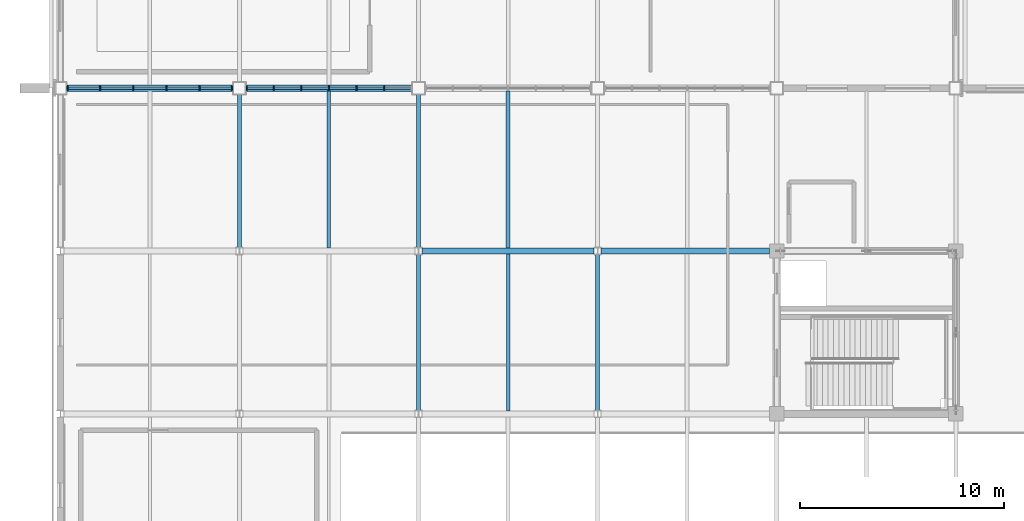
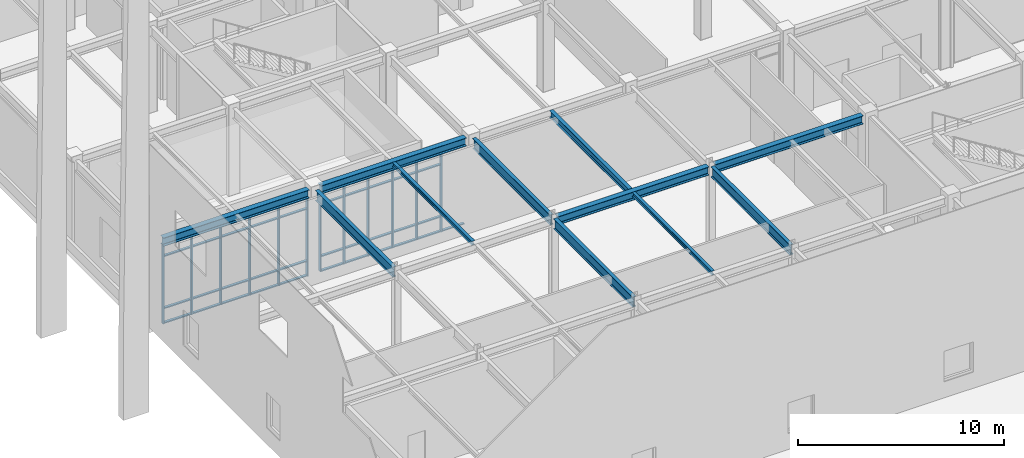
# One storey, part 21 of 119: 53 members, 11 beams, 2 elements without a shape of their own.
"""IFC4 building model written with IfcOpenShell, lengths in metres."""

from ifc_helpers import new_model, si_unit, direction, frame, origin, origin_2d, place, context, subcontext, project, spatial, rectangle, i_section, extrude, material, material_profile, profile_set, type_object, element, aggregate, save


model = new_model("IFC4")

# Units and contexts
model_context = context("Model", 3, precision=1e-05, world=origin(), true_north=direction((0.0, 1.0)))
body_context = subcontext(model_context, "Body", "Model", "MODEL_VIEW")
ifc_project = project(units=[si_unit("LENGTHUNIT", "METRE"), si_unit("AREAUNIT", "SQUARE_METRE"), si_unit("VOLUMEUNIT", "CUBIC_METRE"), si_unit("PLANEANGLEUNIT", "RADIAN"), si_unit("MASSUNIT", "GRAM", prefix="KILO")], contexts=[model_context])

# Site, building, storey
site_placement = place(None, origin())
site = spatial("IfcSite", under=ifc_project, at=site_placement, CompositionType="ELEMENT")
building_placement = place(site_placement, origin())
building = spatial("IfcBuilding", under=site, at=building_placement, Name="Zhaolan Boulevard Law Courts", CompositionType="ELEMENT")
storey_placement = place(building_placement, origin())
storey = spatial("IfcBuildingStorey", under=building, at=storey_placement, Name="L00", CompositionType="ELEMENT", Elevation=0.0)

# Curtain wall, members
ifc_material_1 = material(Name="Thermally broken aluminium and low-E glazing", Category="aluminium")
curtain_wall_type_1 = type_object("IfcCurtainWallType", Name="CURTAIN WALL M1", PredefinedType="USERDEFINED", material=ifc_material_1)
curtain_wall_1_placement = place(storey_placement, origin())
curtain_wall_1 = element("IfcCurtainWall", 1, at=curtain_wall_1_placement, inside=storey, type_object=curtain_wall_type_1, Name="Curtain Wall CW-L00-001", ObjectType="CURTAIN WALL", PredefinedType="USERDEFINED")
ifc_material_2 = material(Name="Fluorocarbon-coated aluminium 6063-T6", Category="aluminium")
ifc_material_profile_1 = material_profile(ifc_material_2, rectangle(XDim=0.179931640625, YDim=0.06494140625, at=origin_2d()), Name="AL65x180")
ifc_profile_set_1 = profile_set([ifc_material_profile_1], Name="Fluorocarbon-coated aluminium 6063-T6")
member_type_1 = type_object("IfcMemberType", Name="CWMULLION 65X180", PredefinedType="MULLION", material=ifc_profile_set_1)
member_1_placement = place(storey_placement, frame((8.4404296875, 30.0, 0.0), z_axis=(0.0, 0.0, 1.0), x_axis=(0.0, -1.0, 0.0)))
member_1 = element("IfcMember", 2, at=member_1_placement, type_object=member_type_1, Name="CW-L00-001 mullion 1", PredefinedType="MULLION", context=body_context, shape_type="SweptSolid", body=[
    extrude(rectangle(XDim=0.179931640625, YDim=0.06494140625, at=origin_2d()), origin(), (0.0, 0.0, 1.0), 4.635009765625),
])
member_2_placement = place(storey_placement, frame((6.84375, 30.0, 0.0), z_axis=(0.0, 0.0, 1.0), x_axis=(0.0, -1.0, 0.0)))
member_2 = element("IfcMember", 3, at=member_2_placement, type_object=member_type_1, Name="CW-L00-001 mullion 2", PredefinedType="MULLION", context=body_context, shape_type="SweptSolid", body=[
    extrude(rectangle(XDim=0.179931640625, YDim=0.06494140625, at=origin_2d()), origin(), (0.0, 0.0, 1.0), 4.635009765625),
])
member_3_placement = place(storey_placement, frame((5.214599609375, 30.0, 0.0), z_axis=(0.0, 0.0, 1.0), x_axis=(0.0, -1.0, 0.0)))
member_3 = element("IfcMember", 4, at=member_3_placement, type_object=member_type_1, Name="CW-L00-001 mullion 3", PredefinedType="MULLION", context=body_context, shape_type="SweptSolid", body=[
    extrude(rectangle(XDim=0.179931640625, YDim=0.06494140625, at=origin_2d()), origin(), (0.0, 0.0, 1.0), 4.635009765625),
])
member_4_placement = place(storey_placement, frame((3.58544921875, 30.0, 0.0), z_axis=(0.0, 0.0, 1.0), x_axis=(0.0, -1.0, 0.0)))
member_4 = element("IfcMember", 5, at=member_4_placement, type_object=member_type_1, Name="CW-L00-001 mullion 4", PredefinedType="MULLION", context=body_context, shape_type="SweptSolid", body=[
    extrude(rectangle(XDim=0.179931640625, YDim=0.06494140625, at=origin_2d()), origin(), (0.0, 0.0, 1.0), 4.635009765625),
])
member_5_placement = place(storey_placement, frame((1.956298828125, 30.0, 0.0), z_axis=(0.0, 0.0, 1.0), x_axis=(0.0, -1.0, 0.0)))
member_5 = element("IfcMember", 6, at=member_5_placement, type_object=member_type_1, Name="CW-L00-001 mullion 5", PredefinedType="MULLION", context=body_context, shape_type="SweptSolid", body=[
    extrude(rectangle(XDim=0.179931640625, YDim=0.06494140625, at=origin_2d()), origin(), (0.0, 0.0, 1.0), 4.635009765625),
])
member_6_placement = place(storey_placement, frame((0.359619140625, 30.0, 0.0), z_axis=(0.0, 0.0, 1.0), x_axis=(0.0, -1.0, 0.0)))
member_6 = element("IfcMember", 7, at=member_6_placement, type_object=member_type_1, Name="CW-L00-001 mullion 6", PredefinedType="MULLION", context=body_context, shape_type="SweptSolid", body=[
    extrude(rectangle(XDim=0.179931640625, YDim=0.06494140625, at=origin_2d()), origin(), (0.0, 0.0, 1.0), 4.635009765625),
])

ifc_material_3 = material(Name="Thermally broken aluminium and low-E glazing", Category="aluminium")
curtain_wall_type_2 = type_object("IfcCurtainWallType", Name="CURTAIN WALL M2", PredefinedType="USERDEFINED", material=ifc_material_3)
curtain_wall_2_placement = place(storey_placement, origin())
curtain_wall_2 = element("IfcCurtainWall", 8, at=curtain_wall_2_placement, inside=storey, type_object=curtain_wall_type_2, Name="Curtain Wall CW-L00-002", ObjectType="CURTAIN WALL", PredefinedType="USERDEFINED")
member_7_placement = place(storey_placement, frame((15.915283203125, 30.0, 0.0), z_axis=(0.0, 0.0, 1.0), x_axis=(0.0, -1.0, 0.0)))
member_7 = element("IfcMember", 9, at=member_7_placement, type_object=member_type_1, Name="CW-L00-002 mullion 2", PredefinedType="MULLION", context=body_context, shape_type="SweptSolid", body=[
    extrude(rectangle(XDim=0.179931640625, YDim=0.06494140625, at=origin_2d()), origin(), (0.0, 0.0, 1.0), 4.635009765625),
])
member_8_placement = place(storey_placement, frame((14.5576171875, 30.0, 0.0), z_axis=(0.0, 0.0, 1.0), x_axis=(0.0, -1.0, 0.0)))
member_8 = element("IfcMember", 10, at=member_8_placement, type_object=member_type_1, Name="CW-L00-002 mullion 3", PredefinedType="MULLION", context=body_context, shape_type="SweptSolid", body=[
    extrude(rectangle(XDim=0.179931640625, YDim=0.06494140625, at=origin_2d()), origin(), (0.0, 0.0, 1.0), 4.635009765625),
])
member_9_placement = place(storey_placement, frame((13.199951171875, 30.0, 0.0), z_axis=(0.0, 0.0, 1.0), x_axis=(0.0, -1.0, 0.0)))
member_9 = element("IfcMember", 11, at=member_9_placement, type_object=member_type_1, Name="CW-L00-002 mullion 4", PredefinedType="MULLION", context=body_context, shape_type="SweptSolid", body=[
    extrude(rectangle(XDim=0.179931640625, YDim=0.06494140625, at=origin_2d()), origin(), (0.0, 0.0, 1.0), 4.635009765625),
])
member_10_placement = place(storey_placement, frame((11.84228515625, 30.0, 0.0), z_axis=(0.0, 0.0, 1.0), x_axis=(0.0, -1.0, 0.0)))
member_10 = element("IfcMember", 12, at=member_10_placement, type_object=member_type_1, Name="CW-L00-002 mullion 5", PredefinedType="MULLION", context=body_context, shape_type="SweptSolid", body=[
    extrude(rectangle(XDim=0.179931640625, YDim=0.06494140625, at=origin_2d()), origin(), (0.0, 0.0, 1.0), 4.635009765625),
])
member_11_placement = place(storey_placement, frame((10.484619140625, 30.0, 0.0), z_axis=(0.0, 0.0, 1.0), x_axis=(0.0, -1.0, 0.0)))
member_11 = element("IfcMember", 13, at=member_11_placement, type_object=member_type_1, Name="CW-L00-002 mullion 6", PredefinedType="MULLION", context=body_context, shape_type="SweptSolid", body=[
    extrude(rectangle(XDim=0.179931640625, YDim=0.06494140625, at=origin_2d()), origin(), (0.0, 0.0, 1.0), 4.635009765625),
])
member_12_placement = place(storey_placement, frame((9.159423828125, 30.0, 0.0), z_axis=(0.0, 0.0, 1.0), x_axis=(0.0, -1.0, 0.0)))
member_12 = element("IfcMember", 14, at=member_12_placement, type_object=member_type_1, Name="CW-L00-002 mullion 7", PredefinedType="MULLION", context=body_context, shape_type="SweptSolid", body=[
    extrude(rectangle(XDim=0.179931640625, YDim=0.06494140625, at=origin_2d()), origin(), (0.0, 0.0, 1.0), 4.635009765625),
])

# Member
ifc_material_4 = material(Name="Fluorocarbon-coated aluminium 6063-T6", Category="aluminium")
ifc_material_profile_2 = material_profile(ifc_material_4, rectangle(XDim=0.139892578125, YDim=0.06494140625, at=origin_2d()), Name="AL65x140")
ifc_profile_set_2 = profile_set([ifc_material_profile_2], Name="Fluorocarbon-coated aluminium 6063-T6")
member_type_2 = type_object("IfcMemberType", Name="CWTRANSOM 65X140", PredefinedType="USERDEFINED", material=ifc_profile_set_2)
member_13_placement = place(storey_placement, frame((8.407958984375, 30.0, 0.032470703125), z_axis=(-1.0, 0.0, 0.0), x_axis=(0.0, -1.0, 0.0)))
member_13 = element("IfcMember", 15, at=member_13_placement, type_object=member_type_2, Name="CW-L00-001 transom 1.1", ObjectType="TRANSOM", PredefinedType="USERDEFINED", context=body_context, shape_type="SweptSolid", body=[
    extrude(rectangle(XDim=0.139892578125, YDim=0.06494140625, at=origin_2d()), origin(), (0.0, 0.0, 1.0), 1.53173828125),
])

member_14_placement = place(storey_placement, frame((8.407958984375, 30.0, 0.89990234375), z_axis=(-1.0, 0.0, 0.0), x_axis=(0.0, -1.0, 0.0)))
member_14 = element("IfcMember", 16, at=member_14_placement, type_object=member_type_2, Name="CW-L00-001 transom 1.2", ObjectType="TRANSOM", PredefinedType="USERDEFINED", context=body_context, shape_type="SweptSolid", body=[
    extrude(rectangle(XDim=0.139892578125, YDim=0.06494140625, at=origin_2d()), origin(), (0.0, 0.0, 1.0), 1.53173828125),
])

member_15_placement = place(storey_placement, frame((8.407958984375, 30.0, 3.985107421875), z_axis=(-1.0, 0.0, 0.0), x_axis=(0.0, -1.0, 0.0)))
member_15 = element("IfcMember", 17, at=member_15_placement, type_object=member_type_2, Name="CW-L00-001 transom 1.3", ObjectType="TRANSOM", PredefinedType="USERDEFINED", context=body_context, shape_type="SweptSolid", body=[
    extrude(rectangle(XDim=0.139892578125, YDim=0.06494140625, at=origin_2d()), origin(), (0.0, 0.0, 1.0), 1.53173828125),
])

member_16_placement = place(storey_placement, frame((8.407958984375, 30.0, 4.6025390625), z_axis=(-1.0, 0.0, 0.0), x_axis=(0.0, -1.0, 0.0)))
member_16 = element("IfcMember", 18, at=member_16_placement, type_object=member_type_2, Name="CW-L00-001 transom 1.4", ObjectType="TRANSOM", PredefinedType="USERDEFINED", context=body_context, shape_type="SweptSolid", body=[
    extrude(rectangle(XDim=0.139892578125, YDim=0.06494140625, at=origin_2d()), origin(), (0.0, 0.0, 1.0), 1.53173828125),
])

member_17_placement = place(storey_placement, frame((6.811279296875, 30.0, 0.032470703125), z_axis=(-1.0, 0.0, 0.0), x_axis=(0.0, -1.0, 0.0)))
member_17 = element("IfcMember", 19, at=member_17_placement, type_object=member_type_2, Name="CW-L00-001 transom 2.1", ObjectType="TRANSOM", PredefinedType="USERDEFINED", context=body_context, shape_type="SweptSolid", body=[
    extrude(rectangle(XDim=0.139892578125, YDim=0.06494140625, at=origin_2d()), origin(), (0.0, 0.0, 1.0), 1.564208984375),
])

member_18_placement = place(storey_placement, frame((6.811279296875, 30.0, 0.89990234375), z_axis=(-1.0, 0.0, 0.0), x_axis=(0.0, -1.0, 0.0)))
member_18 = element("IfcMember", 20, at=member_18_placement, type_object=member_type_2, Name="CW-L00-001 transom 2.2", ObjectType="TRANSOM", PredefinedType="USERDEFINED", context=body_context, shape_type="SweptSolid", body=[
    extrude(rectangle(XDim=0.139892578125, YDim=0.06494140625, at=origin_2d()), origin(), (0.0, 0.0, 1.0), 1.564208984375),
])

member_19_placement = place(storey_placement, frame((6.811279296875, 30.0, 3.985107421875), z_axis=(-1.0, 0.0, 0.0), x_axis=(0.0, -1.0, 0.0)))
member_19 = element("IfcMember", 21, at=member_19_placement, type_object=member_type_2, Name="CW-L00-001 transom 2.3", ObjectType="TRANSOM", PredefinedType="USERDEFINED", context=body_context, shape_type="SweptSolid", body=[
    extrude(rectangle(XDim=0.139892578125, YDim=0.06494140625, at=origin_2d()), origin(), (0.0, 0.0, 1.0), 1.564208984375),
])

member_20_placement = place(storey_placement, frame((6.811279296875, 30.0, 4.6025390625), z_axis=(-1.0, 0.0, 0.0), x_axis=(0.0, -1.0, 0.0)))
member_20 = element("IfcMember", 22, at=member_20_placement, type_object=member_type_2, Name="CW-L00-001 transom 2.4", ObjectType="TRANSOM", PredefinedType="USERDEFINED", context=body_context, shape_type="SweptSolid", body=[
    extrude(rectangle(XDim=0.139892578125, YDim=0.06494140625, at=origin_2d()), origin(), (0.0, 0.0, 1.0), 1.564208984375),
])

member_21_placement = place(storey_placement, frame((5.18212890625, 30.0, 0.032470703125), z_axis=(-1.0, 0.0, 0.0), x_axis=(0.0, -1.0, 0.0)))
member_21 = element("IfcMember", 23, at=member_21_placement, type_object=member_type_2, Name="CW-L00-001 transom 3.1", ObjectType="TRANSOM", PredefinedType="USERDEFINED", context=body_context, shape_type="SweptSolid", body=[
    extrude(rectangle(XDim=0.139892578125, YDim=0.06494140625, at=origin_2d()), origin(), (0.0, 0.0, 1.0), 1.564208984375),
])

member_22_placement = place(storey_placement, frame((5.18212890625, 30.0, 0.89990234375), z_axis=(-1.0, 0.0, 0.0), x_axis=(0.0, -1.0, 0.0)))
member_22 = element("IfcMember", 24, at=member_22_placement, type_object=member_type_2, Name="CW-L00-001 transom 3.2", ObjectType="TRANSOM", PredefinedType="USERDEFINED", context=body_context, shape_type="SweptSolid", body=[
    extrude(rectangle(XDim=0.139892578125, YDim=0.06494140625, at=origin_2d()), origin(), (0.0, 0.0, 1.0), 1.564208984375),
])

member_23_placement = place(storey_placement, frame((5.18212890625, 30.0, 3.985107421875), z_axis=(-1.0, 0.0, 0.0), x_axis=(0.0, -1.0, 0.0)))
member_23 = element("IfcMember", 25, at=member_23_placement, type_object=member_type_2, Name="CW-L00-001 transom 3.3", ObjectType="TRANSOM", PredefinedType="USERDEFINED", context=body_context, shape_type="SweptSolid", body=[
    extrude(rectangle(XDim=0.139892578125, YDim=0.06494140625, at=origin_2d()), origin(), (0.0, 0.0, 1.0), 1.564208984375),
])

member_24_placement = place(storey_placement, frame((5.18212890625, 30.0, 4.6025390625), z_axis=(-1.0, 0.0, 0.0), x_axis=(0.0, -1.0, 0.0)))
member_24 = element("IfcMember", 26, at=member_24_placement, type_object=member_type_2, Name="CW-L00-001 transom 3.4", ObjectType="TRANSOM", PredefinedType="USERDEFINED", context=body_context, shape_type="SweptSolid", body=[
    extrude(rectangle(XDim=0.139892578125, YDim=0.06494140625, at=origin_2d()), origin(), (0.0, 0.0, 1.0), 1.564208984375),
])

member_25_placement = place(storey_placement, frame((3.552978515625, 30.0, 0.032470703125), z_axis=(-1.0, 0.0, 0.0), x_axis=(0.0, -1.0, 0.0)))
member_25 = element("IfcMember", 27, at=member_25_placement, type_object=member_type_2, Name="CW-L00-001 transom 4.1", ObjectType="TRANSOM", PredefinedType="USERDEFINED", context=body_context, shape_type="SweptSolid", body=[
    extrude(rectangle(XDim=0.139892578125, YDim=0.06494140625, at=origin_2d()), origin(), (0.0, 0.0, 1.0), 1.564208984375),
])

member_26_placement = place(storey_placement, frame((3.552978515625, 30.0, 0.89990234375), z_axis=(-1.0, 0.0, 0.0), x_axis=(0.0, -1.0, 0.0)))
member_26 = element("IfcMember", 28, at=member_26_placement, type_object=member_type_2, Name="CW-L00-001 transom 4.2", ObjectType="TRANSOM", PredefinedType="USERDEFINED", context=body_context, shape_type="SweptSolid", body=[
    extrude(rectangle(XDim=0.139892578125, YDim=0.06494140625, at=origin_2d()), origin(), (0.0, 0.0, 1.0), 1.564208984375),
])

member_27_placement = place(storey_placement, frame((3.552978515625, 30.0, 3.985107421875), z_axis=(-1.0, 0.0, 0.0), x_axis=(0.0, -1.0, 0.0)))
member_27 = element("IfcMember", 29, at=member_27_placement, type_object=member_type_2, Name="CW-L00-001 transom 4.3", ObjectType="TRANSOM", PredefinedType="USERDEFINED", context=body_context, shape_type="SweptSolid", body=[
    extrude(rectangle(XDim=0.139892578125, YDim=0.06494140625, at=origin_2d()), origin(), (0.0, 0.0, 1.0), 1.564208984375),
])

member_28_placement = place(storey_placement, frame((3.552978515625, 30.0, 4.6025390625), z_axis=(-1.0, 0.0, 0.0), x_axis=(0.0, -1.0, 0.0)))
member_28 = element("IfcMember", 30, at=member_28_placement, type_object=member_type_2, Name="CW-L00-001 transom 4.4", ObjectType="TRANSOM", PredefinedType="USERDEFINED", context=body_context, shape_type="SweptSolid", body=[
    extrude(rectangle(XDim=0.139892578125, YDim=0.06494140625, at=origin_2d()), origin(), (0.0, 0.0, 1.0), 1.564208984375),
])

member_29_placement = place(storey_placement, frame((1.923583984375, 30.0, 0.032470703125), z_axis=(-1.0, 0.0, 0.0), x_axis=(0.0, -1.0, 0.0)))
member_29 = element("IfcMember", 31, at=member_29_placement, type_object=member_type_2, Name="CW-L00-001 transom 5.1", ObjectType="TRANSOM", PredefinedType="USERDEFINED", context=body_context, shape_type="SweptSolid", body=[
    extrude(rectangle(XDim=0.139892578125, YDim=0.06494140625, at=origin_2d()), origin(), (0.0, 0.0, 1.0), 1.531494140625),
])

member_30_placement = place(storey_placement, frame((1.923583984375, 30.0, 0.89990234375), z_axis=(-1.0, 0.0, 0.0), x_axis=(0.0, -1.0, 0.0)))
member_30 = element("IfcMember", 32, at=member_30_placement, type_object=member_type_2, Name="CW-L00-001 transom 5.2", ObjectType="TRANSOM", PredefinedType="USERDEFINED", context=body_context, shape_type="SweptSolid", body=[
    extrude(rectangle(XDim=0.139892578125, YDim=0.06494140625, at=origin_2d()), origin(), (0.0, 0.0, 1.0), 1.531494140625),
])

member_31_placement = place(storey_placement, frame((1.923583984375, 30.0, 3.985107421875), z_axis=(-1.0, 0.0, 0.0), x_axis=(0.0, -1.0, 0.0)))
member_31 = element("IfcMember", 33, at=member_31_placement, type_object=member_type_2, Name="CW-L00-001 transom 5.3", ObjectType="TRANSOM", PredefinedType="USERDEFINED", context=body_context, shape_type="SweptSolid", body=[
    extrude(rectangle(XDim=0.139892578125, YDim=0.06494140625, at=origin_2d()), origin(), (0.0, 0.0, 1.0), 1.531494140625),
])

member_32_placement = place(storey_placement, frame((1.923583984375, 30.0, 4.6025390625), z_axis=(-1.0, 0.0, 0.0), x_axis=(0.0, -1.0, 0.0)))
member_32 = element("IfcMember", 34, at=member_32_placement, type_object=member_type_2, Name="CW-L00-001 transom 5.4", ObjectType="TRANSOM", PredefinedType="USERDEFINED", context=body_context, shape_type="SweptSolid", body=[
    extrude(rectangle(XDim=0.139892578125, YDim=0.06494140625, at=origin_2d()), origin(), (0.0, 0.0, 1.0), 1.531494140625),
])

aggregate(curtain_wall_1, [member_1, member_2, member_3, member_4, member_5, member_6, member_13, member_14, member_15, member_16, member_17, member_18, member_19, member_20, member_21, member_22, member_23, member_24, member_25, member_26, member_27, member_28, member_29, member_30, member_31, member_32])

member_33_placement = place(storey_placement, frame((17.2080078125, 30.0, 0.032470703125), z_axis=(-1.0, 0.0, 0.0), x_axis=(0.0, -1.0, 0.0)))
member_33 = element("IfcMember", 35, at=member_33_placement, type_object=member_type_2, Name="CW-L00-002 transom 1.1", ObjectType="TRANSOM", PredefinedType="USERDEFINED", context=body_context, shape_type="SweptSolid", body=[
    extrude(rectangle(XDim=0.139892578125, YDim=0.06494140625, at=origin_2d()), origin(), (0.0, 0.0, 1.0), 1.26025390625),
])

member_34_placement = place(storey_placement, frame((15.8828125, 30.0, 0.032470703125), z_axis=(-1.0, 0.0, 0.0), x_axis=(0.0, -1.0, 0.0)))
member_34 = element("IfcMember", 36, at=member_34_placement, type_object=member_type_2, Name="CW-L00-002 transom 2.1", ObjectType="TRANSOM", PredefinedType="USERDEFINED", context=body_context, shape_type="SweptSolid", body=[
    extrude(rectangle(XDim=0.139892578125, YDim=0.06494140625, at=origin_2d()), origin(), (0.0, 0.0, 1.0), 1.292724609375),
])

member_35_placement = place(storey_placement, frame((15.8828125, 30.0, 0.89990234375), z_axis=(-1.0, 0.0, 0.0), x_axis=(0.0, -1.0, 0.0)))
member_35 = element("IfcMember", 37, at=member_35_placement, type_object=member_type_2, Name="CW-L00-002 transom 2.2", ObjectType="TRANSOM", PredefinedType="USERDEFINED", context=body_context, shape_type="SweptSolid", body=[
    extrude(rectangle(XDim=0.139892578125, YDim=0.06494140625, at=origin_2d()), origin(), (0.0, 0.0, 1.0), 1.292724609375),
])

member_36_placement = place(storey_placement, frame((15.8828125, 30.0, 3.985107421875), z_axis=(-1.0, 0.0, 0.0), x_axis=(0.0, -1.0, 0.0)))
member_36 = element("IfcMember", 38, at=member_36_placement, type_object=member_type_2, Name="CW-L00-002 transom 2.3", ObjectType="TRANSOM", PredefinedType="USERDEFINED", context=body_context, shape_type="SweptSolid", body=[
    extrude(rectangle(XDim=0.139892578125, YDim=0.06494140625, at=origin_2d()), origin(), (0.0, 0.0, 1.0), 1.292724609375),
])

member_37_placement = place(storey_placement, frame((15.8828125, 30.0, 4.6025390625), z_axis=(-1.0, 0.0, 0.0), x_axis=(0.0, -1.0, 0.0)))
member_37 = element("IfcMember", 39, at=member_37_placement, type_object=member_type_2, Name="CW-L00-002 transom 2.4", ObjectType="TRANSOM", PredefinedType="USERDEFINED", context=body_context, shape_type="SweptSolid", body=[
    extrude(rectangle(XDim=0.139892578125, YDim=0.06494140625, at=origin_2d()), origin(), (0.0, 0.0, 1.0), 1.292724609375),
])

member_38_placement = place(storey_placement, frame((14.525146484375, 30.0, 0.032470703125), z_axis=(-1.0, 0.0, 0.0), x_axis=(0.0, -1.0, 0.0)))
member_38 = element("IfcMember", 40, at=member_38_placement, type_object=member_type_2, Name="CW-L00-002 transom 3.1", ObjectType="TRANSOM", PredefinedType="USERDEFINED", context=body_context, shape_type="SweptSolid", body=[
    extrude(rectangle(XDim=0.139892578125, YDim=0.06494140625, at=origin_2d()), origin(), (0.0, 0.0, 1.0), 1.292724609375),
])

member_39_placement = place(storey_placement, frame((14.525146484375, 30.0, 0.89990234375), z_axis=(-1.0, 0.0, 0.0), x_axis=(0.0, -1.0, 0.0)))
member_39 = element("IfcMember", 41, at=member_39_placement, type_object=member_type_2, Name="CW-L00-002 transom 3.2", ObjectType="TRANSOM", PredefinedType="USERDEFINED", context=body_context, shape_type="SweptSolid", body=[
    extrude(rectangle(XDim=0.139892578125, YDim=0.06494140625, at=origin_2d()), origin(), (0.0, 0.0, 1.0), 1.292724609375),
])

member_40_placement = place(storey_placement, frame((14.525146484375, 30.0, 3.985107421875), z_axis=(-1.0, 0.0, 0.0), x_axis=(0.0, -1.0, 0.0)))
member_40 = element("IfcMember", 42, at=member_40_placement, type_object=member_type_2, Name="CW-L00-002 transom 3.3", ObjectType="TRANSOM", PredefinedType="USERDEFINED", context=body_context, shape_type="SweptSolid", body=[
    extrude(rectangle(XDim=0.139892578125, YDim=0.06494140625, at=origin_2d()), origin(), (0.0, 0.0, 1.0), 1.292724609375),
])

member_41_placement = place(storey_placement, frame((14.525146484375, 30.0, 4.6025390625), z_axis=(-1.0, 0.0, 0.0), x_axis=(0.0, -1.0, 0.0)))
member_41 = element("IfcMember", 43, at=member_41_placement, type_object=member_type_2, Name="CW-L00-002 transom 3.4", ObjectType="TRANSOM", PredefinedType="USERDEFINED", context=body_context, shape_type="SweptSolid", body=[
    extrude(rectangle(XDim=0.139892578125, YDim=0.06494140625, at=origin_2d()), origin(), (0.0, 0.0, 1.0), 1.292724609375),
])

member_42_placement = place(storey_placement, frame((13.16748046875, 30.0, 0.032470703125), z_axis=(-1.0, 0.0, 0.0), x_axis=(0.0, -1.0, 0.0)))
member_42 = element("IfcMember", 44, at=member_42_placement, type_object=member_type_2, Name="CW-L00-002 transom 4.1", ObjectType="TRANSOM", PredefinedType="USERDEFINED", context=body_context, shape_type="SweptSolid", body=[
    extrude(rectangle(XDim=0.139892578125, YDim=0.06494140625, at=origin_2d()), origin(), (0.0, 0.0, 1.0), 1.292724609375),
])

member_43_placement = place(storey_placement, frame((13.16748046875, 30.0, 0.89990234375), z_axis=(-1.0, 0.0, 0.0), x_axis=(0.0, -1.0, 0.0)))
member_43 = element("IfcMember", 45, at=member_43_placement, type_object=member_type_2, Name="CW-L00-002 transom 4.2", ObjectType="TRANSOM", PredefinedType="USERDEFINED", context=body_context, shape_type="SweptSolid", body=[
    extrude(rectangle(XDim=0.139892578125, YDim=0.06494140625, at=origin_2d()), origin(), (0.0, 0.0, 1.0), 1.292724609375),
])

member_44_placement = place(storey_placement, frame((13.16748046875, 30.0, 3.985107421875), z_axis=(-1.0, 0.0, 0.0), x_axis=(0.0, -1.0, 0.0)))
member_44 = element("IfcMember", 46, at=member_44_placement, type_object=member_type_2, Name="CW-L00-002 transom 4.3", ObjectType="TRANSOM", PredefinedType="USERDEFINED", context=body_context, shape_type="SweptSolid", body=[
    extrude(rectangle(XDim=0.139892578125, YDim=0.06494140625, at=origin_2d()), origin(), (0.0, 0.0, 1.0), 1.292724609375),
])

member_45_placement = place(storey_placement, frame((13.16748046875, 30.0, 4.6025390625), z_axis=(-1.0, 0.0, 0.0), x_axis=(0.0, -1.0, 0.0)))
member_45 = element("IfcMember", 47, at=member_45_placement, type_object=member_type_2, Name="CW-L00-002 transom 4.4", ObjectType="TRANSOM", PredefinedType="USERDEFINED", context=body_context, shape_type="SweptSolid", body=[
    extrude(rectangle(XDim=0.139892578125, YDim=0.06494140625, at=origin_2d()), origin(), (0.0, 0.0, 1.0), 1.292724609375),
])

member_46_placement = place(storey_placement, frame((11.809814453125, 30.0, 0.032470703125), z_axis=(-1.0, 0.0, 0.0), x_axis=(0.0, -1.0, 0.0)))
member_46 = element("IfcMember", 48, at=member_46_placement, type_object=member_type_2, Name="CW-L00-002 transom 5.1", ObjectType="TRANSOM", PredefinedType="USERDEFINED", context=body_context, shape_type="SweptSolid", body=[
    extrude(rectangle(XDim=0.139892578125, YDim=0.06494140625, at=origin_2d()), origin(), (0.0, 0.0, 1.0), 1.292724609375),
])

member_47_placement = place(storey_placement, frame((11.809814453125, 30.0, 0.89990234375), z_axis=(-1.0, 0.0, 0.0), x_axis=(0.0, -1.0, 0.0)))
member_47 = element("IfcMember", 49, at=member_47_placement, type_object=member_type_2, Name="CW-L00-002 transom 5.2", ObjectType="TRANSOM", PredefinedType="USERDEFINED", context=body_context, shape_type="SweptSolid", body=[
    extrude(rectangle(XDim=0.139892578125, YDim=0.06494140625, at=origin_2d()), origin(), (0.0, 0.0, 1.0), 1.292724609375),
])

member_48_placement = place(storey_placement, frame((11.809814453125, 30.0, 3.985107421875), z_axis=(-1.0, 0.0, 0.0), x_axis=(0.0, -1.0, 0.0)))
member_48 = element("IfcMember", 50, at=member_48_placement, type_object=member_type_2, Name="CW-L00-002 transom 5.3", ObjectType="TRANSOM", PredefinedType="USERDEFINED", context=body_context, shape_type="SweptSolid", body=[
    extrude(rectangle(XDim=0.139892578125, YDim=0.06494140625, at=origin_2d()), origin(), (0.0, 0.0, 1.0), 1.292724609375),
])

member_49_placement = place(storey_placement, frame((11.809814453125, 30.0, 4.6025390625), z_axis=(-1.0, 0.0, 0.0), x_axis=(0.0, -1.0, 0.0)))
member_49 = element("IfcMember", 51, at=member_49_placement, type_object=member_type_2, Name="CW-L00-002 transom 5.4", ObjectType="TRANSOM", PredefinedType="USERDEFINED", context=body_context, shape_type="SweptSolid", body=[
    extrude(rectangle(XDim=0.139892578125, YDim=0.06494140625, at=origin_2d()), origin(), (0.0, 0.0, 1.0), 1.292724609375),
])

member_50_placement = place(storey_placement, frame((10.4521484375, 30.0, 0.032470703125), z_axis=(-1.0, 0.0, 0.0), x_axis=(0.0, -1.0, 0.0)))
member_50 = element("IfcMember", 52, at=member_50_placement, type_object=member_type_2, Name="CW-L00-002 transom 6.1", ObjectType="TRANSOM", PredefinedType="USERDEFINED", context=body_context, shape_type="SweptSolid", body=[
    extrude(rectangle(XDim=0.139892578125, YDim=0.06494140625, at=origin_2d()), origin(), (0.0, 0.0, 1.0), 1.26025390625),
])

member_51_placement = place(storey_placement, frame((10.4521484375, 30.0, 0.89990234375), z_axis=(-1.0, 0.0, 0.0), x_axis=(0.0, -1.0, 0.0)))
member_51 = element("IfcMember", 53, at=member_51_placement, type_object=member_type_2, Name="CW-L00-002 transom 6.2", ObjectType="TRANSOM", PredefinedType="USERDEFINED", context=body_context, shape_type="SweptSolid", body=[
    extrude(rectangle(XDim=0.139892578125, YDim=0.06494140625, at=origin_2d()), origin(), (0.0, 0.0, 1.0), 1.26025390625),
])

member_52_placement = place(storey_placement, frame((10.4521484375, 30.0, 3.985107421875), z_axis=(-1.0, 0.0, 0.0), x_axis=(0.0, -1.0, 0.0)))
member_52 = element("IfcMember", 54, at=member_52_placement, type_object=member_type_2, Name="CW-L00-002 transom 6.3", ObjectType="TRANSOM", PredefinedType="USERDEFINED", context=body_context, shape_type="SweptSolid", body=[
    extrude(rectangle(XDim=0.139892578125, YDim=0.06494140625, at=origin_2d()), origin(), (0.0, 0.0, 1.0), 1.26025390625),
])

member_53_placement = place(storey_placement, frame((10.4521484375, 30.0, 4.6025390625), z_axis=(-1.0, 0.0, 0.0), x_axis=(0.0, -1.0, 0.0)))
member_53 = element("IfcMember", 55, at=member_53_placement, type_object=member_type_2, Name="CW-L00-002 transom 6.4", ObjectType="TRANSOM", PredefinedType="USERDEFINED", context=body_context, shape_type="SweptSolid", body=[
    extrude(rectangle(XDim=0.139892578125, YDim=0.06494140625, at=origin_2d()), origin(), (0.0, 0.0, 1.0), 1.26025390625),
])

aggregate(curtain_wall_2, [member_7, member_8, member_9, member_10, member_11, member_12, member_33, member_34, member_35, member_36, member_37, member_38, member_39, member_40, member_41, member_42, member_43, member_44, member_45, member_46, member_47, member_48, member_49, member_50, member_51, member_52, member_53])

# Beams
ifc_material_5 = material(Name="Structural steel Q355B", Category="steel")
ifc_material_profile_3 = material_profile(ifc_material_5, i_section(OverallWidth=0.300048828125, OverallDepth=0.488037109375, WebThickness=0.010986328125, FlangeThickness=0.01806640625, FilletRadius=0.02197265625, at=origin_2d()), Name="HM488x300")
ifc_profile_set_3 = profile_set([ifc_material_profile_3], Name="Structural steel Q355B")
beam_type_1 = type_object("IfcBeamType", Name="GIRDER HM500", PredefinedType="BEAM", material=ifc_profile_set_3)
beam_1_placement = place(storey_placement, frame((17.77099609375, 22.0, 4.89404296875), z_axis=(1.0, 0.0, 0.0), x_axis=(0.0, 1.0, 0.0)))
element("IfcBeam", 56, at=beam_1_placement, inside=storey, type_object=beam_type_1, Name="Beam BX-L01-3-4-D", PredefinedType="BEAM", context=body_context, shape_type="SweptSolid", body=[
    extrude(i_section(OverallWidth=0.300048828125, OverallDepth=0.488037109375, WebThickness=0.010986328125, FlangeThickness=0.01806640625, FilletRadius=0.02197265625, at=origin_2d()), origin(), (0.0, 0.0, 1.0), 8.4580078125),
])
beam_2_placement = place(storey_placement, frame((26.571044921875, 22.0, 4.89404296875), z_axis=(1.0, 0.0, 0.0), x_axis=(0.0, 1.0, 0.0)))
element("IfcBeam", 57, at=beam_2_placement, inside=storey, type_object=beam_type_1, Name="Beam BX-L01-4-5-D", PredefinedType="BEAM", context=body_context, shape_type="SweptSolid", body=[
    extrude(i_section(OverallWidth=0.300048828125, OverallDepth=0.488037109375, WebThickness=0.010986328125, FlangeThickness=0.01806640625, FilletRadius=0.02197265625, at=origin_2d()), origin(), (0.0, 0.0, 1.0), 8.282958984375),
])
for number, where, z_axis, x_axis, name in (
    (58, (0.321044921875, 30.0, 4.89404296875), (1.0, 0.0, 0.0), (0.0, 1.0, 0.0), "Beam BX-L01-1-2-E"),
    (59, (9.12109375, 30.0, 4.89404296875), (1.0, 0.0, 0.0), (0.0, 1.0, 0.0), "Beam BX-L01-2-3-E"),
):
    element("IfcBeam", number, at=place(storey_placement, frame(where, z_axis=z_axis, x_axis=x_axis)), inside=storey, type_object=beam_type_1, Name=name, PredefinedType="BEAM", context=body_context, shape_type="SweptSolid", body=[
        extrude(i_section(OverallWidth=0.300048828125, OverallDepth=0.488037109375, WebThickness=0.010986328125, FlangeThickness=0.01806640625, FilletRadius=0.02197265625, at=origin_2d()), origin(), (0.0, 0.0, 1.0), 8.157958984375),
    ])
ifc_material_6 = material(Name="Structural steel Q355B", Category="steel")
ifc_material_profile_4 = material_profile(ifc_material_6, i_section(OverallWidth=0.199951171875, OverallDepth=0.60009765625, WebThickness=0.010986328125, FlangeThickness=0.01708984375, FilletRadius=0.02001953125, at=origin_2d()), Name="HN600x200")
ifc_profile_set_4 = profile_set([ifc_material_profile_4], Name="Structural steel Q355B")
beam_type_2 = type_object("IfcBeamType", Name="GIRDER HN600", PredefinedType="BEAM", material=ifc_profile_set_4)
beam_3_placement = place(storey_placement, frame((8.800048828125, 22.1708984375, 4.837890625), z_axis=(0.0, 1.0, 0.0), x_axis=(-1.0, 0.0, 0.0)))
element("IfcBeam", 60, at=beam_3_placement, inside=storey, type_object=beam_type_2, Name="Beam BY-L01-2-D-E", PredefinedType="BEAM", context=body_context, shape_type="SweptSolid", body=[
    extrude(i_section(OverallWidth=0.199951171875, OverallDepth=0.60009765625, WebThickness=0.010986328125, FlangeThickness=0.01708984375, FilletRadius=0.02001953125, at=origin_2d()), origin(), (0.0, 0.0, 1.0), 7.508056640625),
])
beam_4_placement = place(storey_placement, frame((17.60009765625, 14.1708984375, 4.837890625), z_axis=(0.0, 1.0, 0.0), x_axis=(-1.0, 0.0, 0.0)))
element("IfcBeam", 61, at=beam_4_placement, inside=storey, type_object=beam_type_2, Name="Beam BY-L01-3-C-D", PredefinedType="BEAM", context=body_context, shape_type="SweptSolid", body=[
    extrude(i_section(OverallWidth=0.199951171875, OverallDepth=0.60009765625, WebThickness=0.010986328125, FlangeThickness=0.01708984375, FilletRadius=0.02001953125, at=origin_2d()), origin(), (0.0, 0.0, 1.0), 7.658203125),
])
beam_5_placement = place(storey_placement, frame((17.60009765625, 22.1708984375, 4.837890625), z_axis=(0.0, 1.0, 0.0), x_axis=(-1.0, 0.0, 0.0)))
element("IfcBeam", 62, at=beam_5_placement, inside=storey, type_object=beam_type_2, Name="Beam BY-L01-3-D-E", PredefinedType="BEAM", context=body_context, shape_type="SweptSolid", body=[
    extrude(i_section(OverallWidth=0.199951171875, OverallDepth=0.60009765625, WebThickness=0.010986328125, FlangeThickness=0.01708984375, FilletRadius=0.02001953125, at=origin_2d()), origin(), (0.0, 0.0, 1.0), 7.508056640625),
])
beam_6_placement = place(storey_placement, frame((26.39990234375, 14.1708984375, 4.837890625), z_axis=(0.0, 1.0, 0.0), x_axis=(-1.0, 0.0, 0.0)))
element("IfcBeam", 63, at=beam_6_placement, inside=storey, type_object=beam_type_2, Name="Beam BY-L01-4-C-D", PredefinedType="BEAM", context=body_context, shape_type="SweptSolid", body=[
    extrude(i_section(OverallWidth=0.199951171875, OverallDepth=0.60009765625, WebThickness=0.010986328125, FlangeThickness=0.01708984375, FilletRadius=0.02001953125, at=origin_2d()), origin(), (0.0, 0.0, 1.0), 7.658203125),
])
ifc_material_7 = material(Name="Structural steel Q355B", Category="steel")
ifc_material_profile_5 = material_profile(ifc_material_7, i_section(OverallWidth=0.175048828125, OverallDepth=0.243896484375, WebThickness=0.007080078125, FlangeThickness=0.010986328125, FilletRadius=0.012939453125, at=origin_2d()), Name="HM244x175")
ifc_profile_set_5 = profile_set([ifc_material_profile_5], Name="Structural steel Q355B")
beam_type_3 = type_object("IfcBeamType", Name="JOIST HM244", PredefinedType="JOIST", material=ifc_profile_set_5)
for number, where, z_axis, x_axis, name in (
    (64, (13.199951171875, 22.14599609375, 5.01611328125), (0.0, 1.0, 0.0), (-1.0, 0.0, 0.0), "Composite Joist J-L01-2D"),
    (65, (22.0, 14.14599609375, 5.01611328125), (0.0, 1.0, 0.0), (-1.0, 0.0, 0.0), "Composite Joist J-L01-3C"),
):
    element("IfcBeam", number, at=place(storey_placement, frame(where, z_axis=z_axis, x_axis=x_axis)), inside=storey, type_object=beam_type_3, Name=name, PredefinedType="JOIST", context=body_context, shape_type="SweptSolid", body=[
        extrude(i_section(OverallWidth=0.175048828125, OverallDepth=0.243896484375, WebThickness=0.007080078125, FlangeThickness=0.010986328125, FilletRadius=0.012939453125, at=origin_2d()), origin(), (0.0, 0.0, 1.0), 7.7080078125),
    ])
ifc_material_8 = material(Name="Structural steel Q355B", Category="steel")
ifc_material_profile_6 = material_profile(ifc_material_8, i_section(OverallWidth=0.199951171875, OverallDepth=0.39990234375, WebThickness=0.008056640625, FlangeThickness=0.012939453125, FilletRadius=0.013916015625, at=origin_2d()), Name="HN400x200")
ifc_profile_set_6 = profile_set([ifc_material_profile_6], Name="Structural steel Q355B")
beam_type_4 = type_object("IfcBeamType", Name="JOIST HN400", PredefinedType="JOIST", material=ifc_profile_set_6)
beam_7_placement = place(storey_placement, frame((22.0, 22.14599609375, 4.93798828125), z_axis=(0.0, 1.0, 0.0), x_axis=(-1.0, 0.0, 0.0)))
element("IfcBeam", 66, at=beam_7_placement, inside=storey, type_object=beam_type_4, Name="Composite Joist J-L01-3D", PredefinedType="JOIST", context=body_context, shape_type="SweptSolid", body=[
    extrude(i_section(OverallWidth=0.199951171875, OverallDepth=0.39990234375, WebThickness=0.008056640625, FlangeThickness=0.012939453125, FilletRadius=0.013916015625, at=origin_2d()), origin(), (0.0, 0.0, 1.0), 7.7080078125),
])

save(model, "model.ifc")
